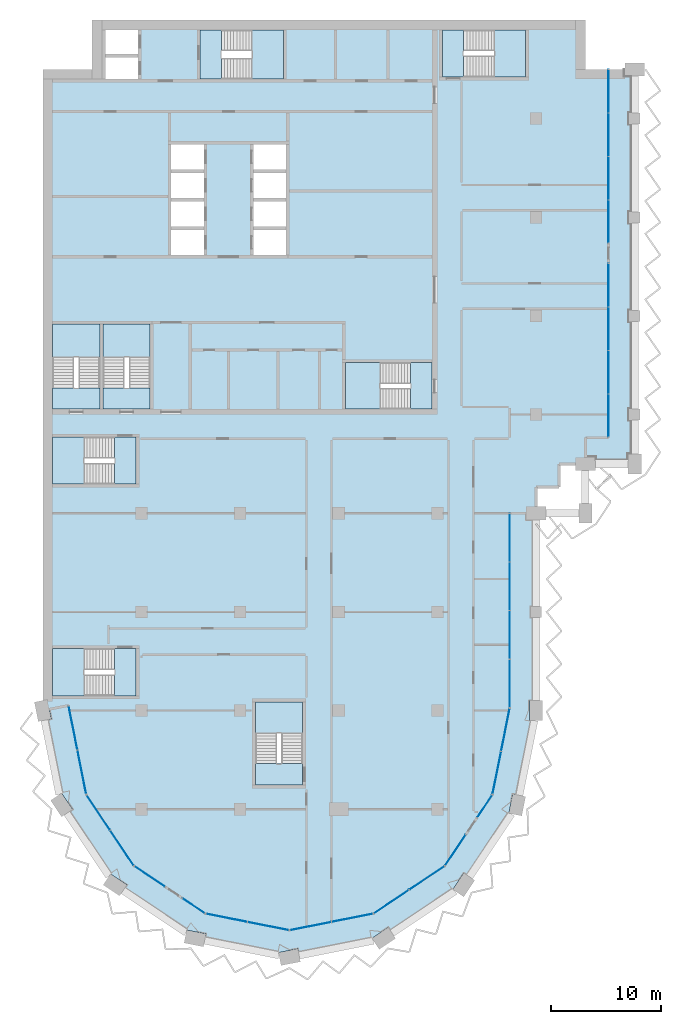
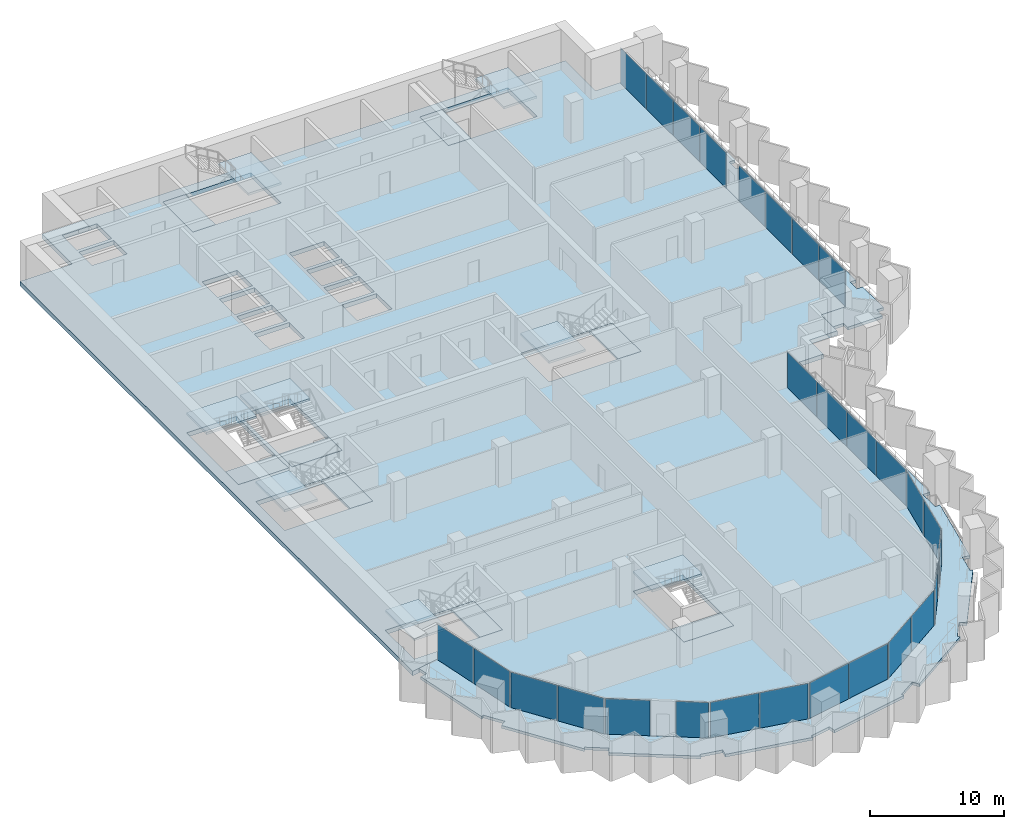
# One storey, part 6 of 17: 28 plates, 19 slabs, 21 elements without a shape of their own.
"""IFC4 building model written with IfcOpenShell, lengths in metres."""

from ifc_helpers import new_model, si_unit, direction, frame, origin, origin_2d, place, context, subcontext, project, spatial, polyline, rectangle, outline, extrude, material, layer, layer_set, type_object, element, aggregate, save


model = new_model("IFC4")

# Units and contexts
model_context = context("Model", 3, precision=1e-05, world=origin(), true_north=direction((0.0, 1.0)))
body_context = subcontext(model_context, "Body", "Model", "MODEL_VIEW")
ifc_project = project(units=[si_unit("LENGTHUNIT", "METRE"), si_unit("AREAUNIT", "SQUARE_METRE"), si_unit("VOLUMEUNIT", "CUBIC_METRE"), si_unit("PLANEANGLEUNIT", "RADIAN"), si_unit("MASSUNIT", "GRAM", prefix="KILO")], contexts=[model_context])

# Site, building, storey
site_placement = place(None, origin())
site = spatial("IfcSite", under=ifc_project, at=site_placement, CompositionType="ELEMENT")
building_placement = place(site_placement, origin())
building = spatial("IfcBuilding", under=site, at=building_placement, Name="Hunhe Ridgeline Campus", CompositionType="ELEMENT")
storey_placement = place(building_placement, frame((0.0, 0.0, 193.89990234375)))
storey = spatial("IfcBuildingStorey", under=building, at=storey_placement, Name="L49", CompositionType="ELEMENT", Elevation=193.89990234375)

# Curtain wall, plates
ifc_material_1 = material(Name="Aluminium 6063", Category="aluminium")
curtain_wall_type_1 = type_object("IfcCurtainWallType", Name="Curtain wall CW-5", PredefinedType="NOTDEFINED", material=ifc_material_1)
curtain_wall_1_placement = place(storey_placement, origin())
curtain_wall_1 = element("IfcCurtainWall", 1, at=curtain_wall_1_placement, inside=storey, type_object=curtain_wall_type_1, Name="Curtain wall 01", PredefinedType="NOTDEFINED")
ifc_material_2 = material(Name="Low-e laminated glass", Category="glass")
ifc_layer_1 = layer(ifc_material_2, 0.028076171875)
ifc_layer_set_1 = layer_set([ifc_layer_1], Name="Curtain wall glass panel 28 low-e laminated")
plate_type = type_object("IfcPlateType", Name="Curtain wall glass panel 28 low-e laminated", PredefinedType="CURTAIN_PANEL", material=ifc_layer_set_1)
plate_1_placement = place(storey_placement, frame((2.76318359375, 34.416015625, 0.0), z_axis=(0.0, 0.0, 1.0), x_axis=(0.195095347137, -0.980784280831, 0.0)))
plate_1 = element("IfcPlate", 2, at=plate_1_placement, type_object=plate_type, Name="CW-5 panel 1", PredefinedType="CURTAIN_PANEL", context=body_context, shape_type="SweptSolid", body=[
    extrude(rectangle(XDim=4.0458984375, YDim=0.028076171875, at=origin_2d()), origin(), (0.0, 0.0, 1.0), 3.22998046875),
])
plate_2_placement = place(storey_placement, frame((3.566162109375, 30.379150390625, 0.0), z_axis=(0.0, 0.0, 1.0), x_axis=(0.195095347137, -0.980784280831, 0.0)))
plate_2 = element("IfcPlate", 3, at=plate_2_placement, type_object=plate_type, Name="CW-5 panel 2", PredefinedType="CURTAIN_PANEL", context=body_context, shape_type="SweptSolid", body=[
    extrude(rectangle(XDim=4.0458984375, YDim=0.028076171875, at=origin_2d()), origin(), (0.0, 0.0, 1.0), 3.22998046875),
])
aggregate(curtain_wall_1, [plate_1, plate_2])

curtain_wall_2_placement = place(storey_placement, origin())
curtain_wall_2 = element("IfcCurtainWall", 4, at=curtain_wall_2_placement, inside=storey, type_object=curtain_wall_type_1, Name="Curtain wall 02", PredefinedType="NOTDEFINED")
plate_3_placement = place(storey_placement, frame((5.07080078125, 26.685546875, 0.0), z_axis=(0.0, 0.0, 1.0), x_axis=(0.555570274596, -0.831469584522, 0.0)))
plate_3 = element("IfcPlate", 5, at=plate_3_placement, type_object=plate_type, Name="CW-5 panel 1", PredefinedType="CURTAIN_PANEL", context=body_context, shape_type="SweptSolid", body=[
    extrude(rectangle(XDim=3.806884765625, YDim=0.028076171875, at=origin_2d()), origin(), (0.0, 0.0, 1.0), 3.22998046875),
])
plate_4_placement = place(storey_placement, frame((7.224609375, 23.4619140625, 0.0), z_axis=(0.0, 0.0, 1.0), x_axis=(0.555570274596, -0.831469584522, 0.0)))
plate_4 = element("IfcPlate", 6, at=plate_4_placement, type_object=plate_type, Name="CW-5 panel 2", PredefinedType="CURTAIN_PANEL", context=body_context, shape_type="SweptSolid", body=[
    extrude(rectangle(XDim=3.806884765625, YDim=0.028076171875, at=origin_2d()), origin(), (0.0, 0.0, 1.0), 3.22998046875),
])
aggregate(curtain_wall_2, [plate_3, plate_4])

# Curtain wall, plate
curtain_wall_3_placement = place(storey_placement, origin())
curtain_wall_3 = element("IfcCurtainWall", 7, at=curtain_wall_3_placement, inside=storey, type_object=curtain_wall_type_1, Name="Curtain wall 03", PredefinedType="NOTDEFINED")
plate_5_placement = place(storey_placement, frame((9.76025390625, 20.859375, 0.0), z_axis=(0.0, 0.0, 1.0), x_axis=(0.831469595944, -0.555570257501, 0.0)))
plate_5 = element("IfcPlate", 8, at=plate_5_placement, type_object=plate_type, Name="CW-5 panel 1", PredefinedType="CURTAIN_PANEL", context=body_context, shape_type="SweptSolid", body=[
    extrude(rectangle(XDim=3.322021484375, YDim=0.028076171875, at=origin_2d()), origin(), (0.0, 0.0, 1.0), 3.22998046875),
])
aggregate(curtain_wall_3, [plate_5])

curtain_wall_4_placement = place(storey_placement, origin())
curtain_wall_4 = element("IfcCurtainWall", 9, at=curtain_wall_4_placement, inside=storey, type_object=curtain_wall_type_1, Name="Curtain wall 04", PredefinedType="NOTDEFINED")
plate_6_placement = place(storey_placement, frame((13.761474609375, 18.18603515625, 0.0), z_axis=(0.0, 0.0, 1.0), x_axis=(0.831469510353, -0.555570385598, 0.0)))
plate_6 = element("IfcPlate", 10, at=plate_6_placement, type_object=plate_type, Name="CW-5 panel 1", PredefinedType="CURTAIN_PANEL", context=body_context, shape_type="SweptSolid", body=[
    extrude(rectangle(XDim=2.421875, YDim=0.028076171875, at=origin_2d()), origin(), (0.0, 0.0, 1.0), 3.22998046875),
])
aggregate(curtain_wall_4, [plate_6])

# Curtain wall, plates
curtain_wall_5_placement = place(storey_placement, origin())
curtain_wall_5 = element("IfcCurtainWall", 11, at=curtain_wall_5_placement, inside=storey, type_object=curtain_wall_type_1, Name="Curtain wall 05", PredefinedType="NOTDEFINED")
plate_7_placement = place(storey_placement, frame((16.761962890625, 17.08935546875, 0.0), z_axis=(0.0, 0.0, 1.0), x_axis=(0.980785275326, -0.195090347539, 0.0)))
plate_7 = element("IfcPlate", 12, at=plate_7_placement, type_object=plate_type, Name="CW-5 panel 1", PredefinedType="CURTAIN_PANEL", context=body_context, shape_type="SweptSolid", body=[
    extrude(rectangle(XDim=3.806884765625, YDim=0.028076171875, at=origin_2d()), origin(), (0.0, 0.0, 1.0), 3.22998046875),
])
plate_8_placement = place(storey_placement, frame((20.564453125, 16.3330078125, 0.0), z_axis=(0.0, 0.0, 1.0), x_axis=(0.980785275326, -0.195090347539, 0.0)))
plate_8 = element("IfcPlate", 13, at=plate_8_placement, type_object=plate_type, Name="CW-5 panel 2", PredefinedType="CURTAIN_PANEL", context=body_context, shape_type="SweptSolid", body=[
    extrude(rectangle(XDim=3.806884765625, YDim=0.028076171875, at=origin_2d()), origin(), (0.0, 0.0, 1.0), 3.22998046875),
])
aggregate(curtain_wall_5, [plate_7, plate_8])

curtain_wall_6_placement = place(storey_placement, origin())
curtain_wall_6 = element("IfcCurtainWall", 14, at=curtain_wall_6_placement, inside=storey, type_object=curtain_wall_type_1, Name="Curtain wall 06", PredefinedType="NOTDEFINED")
plate_9_placement = place(storey_placement, frame((24.435546875, 16.3330078125, 0.0), z_axis=(0.0, 0.0, 1.0), x_axis=(0.980785275326, 0.195090347539, 0.0)))
plate_9 = element("IfcPlate", 15, at=plate_9_placement, type_object=plate_type, Name="CW-5 panel 1", PredefinedType="CURTAIN_PANEL", context=body_context, shape_type="SweptSolid", body=[
    extrude(rectangle(XDim=3.806884765625, YDim=0.028076171875, at=origin_2d()), origin(), (0.0, 0.0, 1.0), 3.22998046875),
])
plate_10_placement = place(storey_placement, frame((28.238037109375, 17.08935546875, 0.0), z_axis=(0.0, 0.0, 1.0), x_axis=(0.980785275326, 0.195090347539, 0.0)))
plate_10 = element("IfcPlate", 16, at=plate_10_placement, type_object=plate_type, Name="CW-5 panel 2", PredefinedType="CURTAIN_PANEL", context=body_context, shape_type="SweptSolid", body=[
    extrude(rectangle(XDim=3.806884765625, YDim=0.028076171875, at=origin_2d()), origin(), (0.0, 0.0, 1.0), 3.22998046875),
])
aggregate(curtain_wall_6, [plate_9, plate_10])

curtain_wall_7_placement = place(storey_placement, origin())
curtain_wall_7 = element("IfcCurtainWall", 17, at=curtain_wall_7_placement, inside=storey, type_object=curtain_wall_type_1, Name="Curtain wall 07", PredefinedType="NOTDEFINED")
plate_11_placement = place(storey_placement, frame((31.814453125, 18.57080078125, 0.0), z_axis=(0.0, 0.0, 1.0), x_axis=(0.831469584522, 0.555570274596, 0.0)))
plate_11 = element("IfcPlate", 18, at=plate_11_placement, type_object=plate_type, Name="CW-5 panel 1", PredefinedType="CURTAIN_PANEL", context=body_context, shape_type="SweptSolid", body=[
    extrude(rectangle(XDim=3.806884765625, YDim=0.028076171875, at=origin_2d()), origin(), (0.0, 0.0, 1.0), 3.22998046875),
])
plate_12_placement = place(storey_placement, frame((35.0380859375, 20.724609375, 0.0), z_axis=(0.0, 0.0, 1.0), x_axis=(0.831469584522, 0.555570274596, 0.0)))
plate_12 = element("IfcPlate", 19, at=plate_12_placement, type_object=plate_type, Name="CW-5 panel 2", PredefinedType="CURTAIN_PANEL", context=body_context, shape_type="SweptSolid", body=[
    extrude(rectangle(XDim=3.806884765625, YDim=0.028076171875, at=origin_2d()), origin(), (0.0, 0.0, 1.0), 3.22998046875),
])
aggregate(curtain_wall_7, [plate_11, plate_12])

# Curtain wall, plate
curtain_wall_8_placement = place(storey_placement, origin())
curtain_wall_8 = element("IfcCurtainWall", 20, at=curtain_wall_8_placement, inside=storey, type_object=curtain_wall_type_1, Name="Curtain wall 08", PredefinedType="NOTDEFINED")
plate_13_placement = place(storey_placement, frame((37.640625, 23.26025390625, 0.0), z_axis=(0.0, 0.0, 1.0), x_axis=(0.555570257501, 0.831469595944, 0.0)))
plate_13 = element("IfcPlate", 21, at=plate_13_placement, type_object=plate_type, Name="CW-5 panel 1", PredefinedType="CURTAIN_PANEL", context=body_context, shape_type="SweptSolid", body=[
    extrude(rectangle(XDim=3.322021484375, YDim=0.028076171875, at=origin_2d()), origin(), (0.0, 0.0, 1.0), 3.22998046875),
])
aggregate(curtain_wall_8, [plate_13])

curtain_wall_9_placement = place(storey_placement, origin())
curtain_wall_9 = element("IfcCurtainWall", 22, at=curtain_wall_9_placement, inside=storey, type_object=curtain_wall_type_1, Name="Curtain wall 09", PredefinedType="NOTDEFINED")
plate_14_placement = place(storey_placement, frame((40.31396484375, 27.261474609375, 0.0), z_axis=(0.0, 0.0, 1.0), x_axis=(0.555570385598, 0.831469510353, 0.0)))
plate_14 = element("IfcPlate", 23, at=plate_14_placement, type_object=plate_type, Name="CW-5 panel 1", PredefinedType="CURTAIN_PANEL", context=body_context, shape_type="SweptSolid", body=[
    extrude(rectangle(XDim=2.421875, YDim=0.028076171875, at=origin_2d()), origin(), (0.0, 0.0, 1.0), 3.22998046875),
])
aggregate(curtain_wall_9, [plate_14])

# Curtain wall, plates
curtain_wall_10_placement = place(storey_placement, origin())
curtain_wall_10 = element("IfcCurtainWall", 24, at=curtain_wall_10_placement, inside=storey, type_object=curtain_wall_type_1, Name="Curtain wall 10", PredefinedType="NOTDEFINED")
plate_15_placement = place(storey_placement, frame((41.42236328125, 30.321044921875, 0.0), z_axis=(0.0, 0.0, 1.0), x_axis=(0.195090299215, 0.980785284939, 0.0)))
plate_15 = element("IfcPlate", 25, at=plate_15_placement, type_object=plate_type, Name="CW-5 panel 1", PredefinedType="CURTAIN_PANEL", context=body_context, shape_type="SweptSolid", body=[
    extrude(rectangle(XDim=3.927490234375, YDim=0.028076171875, at=origin_2d()), origin(), (0.0, 0.0, 1.0), 3.22998046875),
])
plate_16_placement = place(storey_placement, frame((42.2021484375, 34.24169921875, 0.0), z_axis=(0.0, 0.0, 1.0), x_axis=(0.195090299215, 0.980785284939, 0.0)))
plate_16 = element("IfcPlate", 26, at=plate_16_placement, type_object=plate_type, Name="CW-5 panel 2", PredefinedType="CURTAIN_PANEL", context=body_context, shape_type="SweptSolid", body=[
    extrude(rectangle(XDim=3.927490234375, YDim=0.028076171875, at=origin_2d()), origin(), (0.0, 0.0, 1.0), 3.22998046875),
])
aggregate(curtain_wall_10, [plate_15, plate_16])

curtain_wall_type_2 = type_object("IfcCurtainWallType", Name="Curtain wall CW-1", PredefinedType="NOTDEFINED", material=ifc_material_1)
curtain_wall_11_placement = place(storey_placement, origin())
curtain_wall_11 = element("IfcCurtainWall", 27, at=curtain_wall_11_placement, inside=storey, type_object=curtain_wall_type_2, Name="Curtain wall 11", PredefinedType="NOTDEFINED")
plate_17_placement = place(storey_placement, frame((42.59912109375, 38.471923828125, 0.0), z_axis=(0.0, 0.0, 1.0), x_axis=(6.642653e-06, 0.999999999978, 0.0)))
plate_17 = element("IfcPlate", 28, at=plate_17_placement, type_object=plate_type, Name="CW-1 panel 1", PredefinedType="CURTAIN_PANEL", context=body_context, shape_type="SweptSolid", body=[
    extrude(rectangle(XDim=4.35107421875, YDim=0.028076171875, at=origin_2d()), origin(), (0.0, 0.0, 1.0), 3.239990234375),
])
plate_18_placement = place(storey_placement, frame((42.59912109375, 42.89794921875, 0.0), z_axis=(0.0, 0.0, 1.0), x_axis=(6.642653e-06, 0.999999999978, 0.0)))
plate_18 = element("IfcPlate", 29, at=plate_18_placement, type_object=plate_type, Name="CW-1 panel 2", PredefinedType="CURTAIN_PANEL", context=body_context, shape_type="SweptSolid", body=[
    extrude(rectangle(XDim=4.381103515625, YDim=0.028076171875, at=origin_2d()), origin(), (0.0, 0.0, 1.0), 3.239990234375),
])
plate_19_placement = place(storey_placement, frame((42.59912109375, 47.3388671875, 0.0), z_axis=(0.0, 0.0, 1.0), x_axis=(6.642653e-06, 0.999999999978, 0.0)))
plate_19 = element("IfcPlate", 30, at=plate_19_placement, type_object=plate_type, Name="CW-1 panel 3", PredefinedType="CURTAIN_PANEL", context=body_context, shape_type="SweptSolid", body=[
    extrude(rectangle(XDim=4.381103515625, YDim=0.028076171875, at=origin_2d()), origin(), (0.0, 0.0, 1.0), 3.239990234375),
])
plate_20_placement = place(storey_placement, frame((42.59912109375, 51.764892578125, 0.0), z_axis=(0.0, 0.0, 1.0), x_axis=(6.642653e-06, 0.999999999978, 0.0)))
plate_20 = element("IfcPlate", 31, at=plate_20_placement, type_object=plate_type, Name="CW-1 panel 4", PredefinedType="CURTAIN_PANEL", context=body_context, shape_type="SweptSolid", body=[
    extrude(rectangle(XDim=4.35107421875, YDim=0.028076171875, at=origin_2d()), origin(), (0.0, 0.0, 1.0), 3.239990234375),
])
aggregate(curtain_wall_11, [plate_17, plate_18, plate_19, plate_20])

curtain_wall_12_placement = place(storey_placement, origin())
curtain_wall_12 = element("IfcCurtainWall", 32, at=curtain_wall_12_placement, inside=storey, type_object=curtain_wall_type_2, Name="Curtain wall 12", PredefinedType="NOTDEFINED")
plate_21_placement = place(storey_placement, frame((51.59912109375, 62.9033203125, 0.0), z_axis=(0.0, 0.0, 1.0), x_axis=(0.0, 1.0, 0.0)))
plate_21 = element("IfcPlate", 33, at=plate_21_placement, type_object=plate_type, Name="CW-1 panel 1", PredefinedType="CURTAIN_PANEL", context=body_context, shape_type="SweptSolid", body=[
    extrude(rectangle(XDim=3.884765625, YDim=0.028076171875, at=origin_2d()), origin(), (0.0, 0.0, 1.0), 3.239990234375),
])
plate_22_placement = place(storey_placement, frame((51.59912109375, 66.86328125, 0.0), z_axis=(0.0, 0.0, 1.0), x_axis=(0.0, 1.0, 0.0)))
plate_22 = element("IfcPlate", 34, at=plate_22_placement, type_object=plate_type, Name="CW-1 panel 2", PredefinedType="CURTAIN_PANEL", context=body_context, shape_type="SweptSolid", body=[
    extrude(rectangle(XDim=3.914794921875, YDim=0.028076171875, at=origin_2d()), origin(), (0.0, 0.0, 1.0), 3.239990234375),
])
plate_23_placement = place(storey_placement, frame((51.59912109375, 70.838134765625, 0.0), z_axis=(0.0, 0.0, 1.0), x_axis=(0.0, 1.0, 0.0)))
plate_23 = element("IfcPlate", 35, at=plate_23_placement, type_object=plate_type, Name="CW-1 panel 3", PredefinedType="CURTAIN_PANEL", context=body_context, shape_type="SweptSolid", body=[
    extrude(rectangle(XDim=3.914794921875, YDim=0.028076171875, at=origin_2d()), origin(), (0.0, 0.0, 1.0), 3.239990234375),
])
plate_24_placement = place(storey_placement, frame((51.59912109375, 74.798095703125, 0.0), z_axis=(0.0, 0.0, 1.0), x_axis=(0.0, 1.0, 0.0)))
plate_24 = element("IfcPlate", 36, at=plate_24_placement, type_object=plate_type, Name="CW-1 panel 4", PredefinedType="CURTAIN_PANEL", context=body_context, shape_type="SweptSolid", body=[
    extrude(rectangle(XDim=3.884765625, YDim=0.028076171875, at=origin_2d()), origin(), (0.0, 0.0, 1.0), 3.239990234375),
])
aggregate(curtain_wall_12, [plate_21, plate_22, plate_23, plate_24])

curtain_wall_13_placement = place(storey_placement, origin())
curtain_wall_13 = element("IfcCurtainWall", 37, at=curtain_wall_13_placement, inside=storey, type_object=curtain_wall_type_2, Name="Curtain wall 13", PredefinedType="NOTDEFINED")
plate_25_placement = place(storey_placement, frame((51.59912109375, 80.60302734375, 0.0), z_axis=(0.0, 0.0, 1.0), x_axis=(0.0, 1.0, 0.0)))
plate_25 = element("IfcPlate", 38, at=plate_25_placement, type_object=plate_type, Name="CW-1 panel 1", PredefinedType="CURTAIN_PANEL", context=body_context, shape_type="SweptSolid", body=[
    extrude(rectangle(XDim=3.884765625, YDim=0.028076171875, at=origin_2d()), origin(), (0.0, 0.0, 1.0), 3.239990234375),
])
plate_26_placement = place(storey_placement, frame((51.59912109375, 84.562744140625, 0.0), z_axis=(0.0, 0.0, 1.0), x_axis=(0.0, 1.0, 0.0)))
plate_26 = element("IfcPlate", 39, at=plate_26_placement, type_object=plate_type, Name="CW-1 panel 2", PredefinedType="CURTAIN_PANEL", context=body_context, shape_type="SweptSolid", body=[
    extrude(rectangle(XDim=3.914794921875, YDim=0.028076171875, at=origin_2d()), origin(), (0.0, 0.0, 1.0), 3.239990234375),
])
plate_27_placement = place(storey_placement, frame((51.59912109375, 88.53759765625, 0.0), z_axis=(0.0, 0.0, 1.0), x_axis=(0.0, 1.0, 0.0)))
plate_27 = element("IfcPlate", 40, at=plate_27_placement, type_object=plate_type, Name="CW-1 panel 3", PredefinedType="CURTAIN_PANEL", context=body_context, shape_type="SweptSolid", body=[
    extrude(rectangle(XDim=3.914794921875, YDim=0.028076171875, at=origin_2d()), origin(), (0.0, 0.0, 1.0), 3.239990234375),
])
plate_28_placement = place(storey_placement, frame((51.59912109375, 92.49755859375, 0.0), z_axis=(0.0, 0.0, 1.0), x_axis=(0.0, 1.0, 0.0)))
plate_28 = element("IfcPlate", 41, at=plate_28_placement, type_object=plate_type, Name="CW-1 panel 4", PredefinedType="CURTAIN_PANEL", context=body_context, shape_type="SweptSolid", body=[
    extrude(rectangle(XDim=3.884765625, YDim=0.028076171875, at=origin_2d()), origin(), (0.0, 0.0, 1.0), 3.239990234375),
])
aggregate(curtain_wall_13, [plate_25, plate_26, plate_27, plate_28])

# Slabs
ifc_material_3 = material(Name="Concrete C40", Category="concrete")
ifc_layer_2 = layer(ifc_material_3, 0.39990234375)
ifc_layer_set_2 = layer_set([ifc_layer_2], Name="Floor slab 400 Concrete C40")
slab_type_1 = type_object("IfcSlabType", Name="Floor slab 400 Concrete C40", PredefinedType="FLOOR", material=ifc_layer_set_2)
slab_1_placement = place(storey_placement, frame((0.0, 0.0, -0.39990234375)))
element("IfcSlab", 42, at=slab_1_placement, inside=storey, type_object=slab_type_1, Name="Floor slab L49 1", PredefinedType="FLOOR", context=body_context, shape_type="SweptSolid", body=[
    extrude(outline(polyline([(30.173583984375, 17.474365234375), (36.678955078125, 21.821044921875), (41.025634765625, 28.326416015625), (42.59912109375, 36.236572265625), (42.59912109375, 54.00048828125), (44.9990234375, 54.0009765625), (44.999267578125, 56.400634765625), (47.09912109375, 56.40087890625), (47.099609375, 58.5009765625), (49.4990234375, 58.5009765625), (49.49951171875, 60.90087890625), (51.59912109375, 60.90087890625), (51.59912109375, 94.5), (49.5, 94.5), (49.5, 99.0), (4.5, 99.0), (4.5, 94.5), (0.0, 94.5), (0.0, 36.0009765625), (2.354736328125, 36.46875), (3.974365234375, 28.326416015625), (8.321044921875, 21.821044921875), (14.826416015625, 17.474365234375), (22.5, 15.947998046875), (30.173583984375, 17.474365234375)]), holes=[polyline([(36.449951171875, 93.800048828125), (44.050048828125, 93.800048828125), (44.050048828125, 98.10009765625), (36.449951171875, 98.10009765625), (36.449951171875, 93.800048828125)]), polyline([(35.5, 63.5), (35.5, 67.75), (27.60009765625, 67.75), (27.60009765625, 63.5), (35.5, 63.5)]), polyline([(19.39990234375, 29.199951171875), (23.699951171875, 29.199951171875), (23.699951171875, 36.800048828125), (19.39990234375, 36.800048828125), (19.39990234375, 29.199951171875)]), polyline([(22.199951171875, 80.14990234375), (22.199951171875, 82.449951171875), (19.199951171875, 82.449951171875), (19.199951171875, 80.14990234375), (22.199951171875, 80.14990234375)]), polyline([(22.199951171875, 79.85009765625), (19.199951171875, 79.85009765625), (19.199951171875, 77.550048828125), (22.199951171875, 77.550048828125), (22.199951171875, 79.85009765625)]), polyline([(19.199951171875, 87.64990234375), (19.199951171875, 85.35009765625), (22.199951171875, 85.35009765625), (22.199951171875, 87.64990234375), (19.199951171875, 87.64990234375)]), polyline([(19.199951171875, 82.75), (22.199951171875, 82.75), (22.199951171875, 85.050048828125), (19.199951171875, 85.050048828125), (19.199951171875, 82.75)]), polyline([(14.35009765625, 93.60009765625), (21.949951171875, 93.60009765625), (21.949951171875, 98.10009765625), (14.35009765625, 98.10009765625), (14.35009765625, 93.60009765625)]), polyline([(14.699951171875, 79.85009765625), (11.699951171875, 79.85009765625), (11.699951171875, 77.550048828125), (14.699951171875, 77.550048828125), (14.699951171875, 79.85009765625)]), polyline([(14.699951171875, 80.14990234375), (14.699951171875, 82.449951171875), (11.699951171875, 82.449951171875), (11.699951171875, 80.14990234375), (14.699951171875, 80.14990234375)]), polyline([(11.699951171875, 87.64990234375), (11.699951171875, 85.35009765625), (14.699951171875, 85.35009765625), (14.699951171875, 87.64990234375), (11.699951171875, 87.64990234375)]), polyline([(11.699951171875, 82.75), (14.699951171875, 82.75), (14.699951171875, 85.050048828125), (11.699951171875, 85.050048828125), (11.699951171875, 82.75)]), polyline([(9.800048828125, 71.25), (5.5, 71.25), (5.5, 63.5), (9.800048828125, 63.5), (9.800048828125, 71.25)]), polyline([(8.699951171875, 95.89990234375), (8.699951171875, 98.10009765625), (5.699951171875, 98.10009765625), (5.699951171875, 95.89990234375), (8.699951171875, 95.89990234375)]), polyline([(8.699951171875, 95.60009765625), (5.699951171875, 95.60009765625), (5.699951171875, 93.60009765625), (8.699951171875, 93.60009765625), (8.699951171875, 95.60009765625)]), polyline([(0.89990234375, 37.35009765625), (8.5, 37.35009765625), (8.5, 41.64990234375), (0.89990234375, 41.64990234375), (0.89990234375, 37.35009765625)]), polyline([(0.89990234375, 60.949951171875), (0.89990234375, 56.64990234375), (8.5, 56.64990234375), (8.5, 60.949951171875), (0.89990234375, 60.949951171875)]), polyline([(0.89990234375, 71.25), (0.89990234375, 63.5), (5.199951171875, 63.5), (5.199951171875, 71.25), (0.89990234375, 71.25)])]), origin(), (0.0, 0.0, 1.0), 0.39990234375),
])
ifc_layer_3 = layer(ifc_material_3, 0.25)
ifc_layer_set_3 = layer_set([ifc_layer_3], Name="Loggia slab 250 Concrete C40")
slab_type_2 = type_object("IfcSlabType", Name="Loggia slab 250 Concrete C40", PredefinedType="FLOOR", material=ifc_layer_set_3)
slab_2_placement = place(storey_placement, frame((0.0, 0.0, -0.25)))
element("IfcSlab", 43, at=slab_2_placement, inside=storey, type_object=slab_type_2, Name="Loggia slab 1", PredefinedType="FLOOR", context=body_context, shape_type="SweptSolid", body=[
    extrude(outline(polyline([(30.173828125, 17.473388671875), (22.5, 15.947021484375), (14.826171875, 17.473388671875), (8.3203125, 21.8203125), (3.973388671875, 28.326171875), (2.35400390625, 36.46826171875), (0.58837890625, 36.116943359375), (0.76416015625, 35.234375), (0.175537109375, 35.1171875), (1.522705078125, 28.344970703125), (1.711669921875, 28.47119140625), (2.711669921875, 26.974609375), (2.212646484375, 26.641357421875), (6.048828125, 20.900146484375), (6.175048828125, 21.089111328125), (7.671875, 20.0888671875), (7.33837890625, 19.590087890625), (13.07958984375, 15.75390625), (13.1240234375, 15.976806640625), (14.889404296875, 15.62548828125), (14.772216796875, 15.037109375), (21.544677734375, 13.68994140625), (21.500244140625, 13.912841796875), (23.265625, 14.26416015625), (23.3828125, 13.675537109375), (30.155029296875, 15.022705078125), (30.02880859375, 15.211669921875), (31.525390625, 16.211669921875), (31.858642578125, 15.712646484375), (37.599853515625, 19.548828125), (37.410888671875, 19.675048828125), (38.4111328125, 21.171875), (38.909912109375, 20.83837890625), (42.74609375, 26.57958984375), (42.523193359375, 26.6240234375), (42.87451171875, 28.389404296875), (43.462890625, 28.272216796875), (44.821044921875, 35.10009765625), (44.39990234375, 35.10009765625), (44.39990234375, 36.89990234375), (45.0, 36.89990234375), (45.0, 44.5), (44.5, 44.5), (44.5, 45.5), (45.0, 45.5), (45.0, 53.39990234375), (44.10009765625, 53.39990234375), (44.10009765625, 54.0), (42.60009765625, 54.0), (42.60009765625, 36.236328125), (41.026611328125, 28.326171875), (36.6796875, 21.8203125), (30.173828125, 17.473388671875)])), origin(), (0.0, 0.0, 1.0), 0.25),
])
slab_3_placement = place(storey_placement, frame((0.0, 0.0, -0.25)))
element("IfcSlab", 44, at=slab_3_placement, inside=storey, type_object=slab_type_2, Name="Loggia slab 2", PredefinedType="FLOOR", context=body_context, shape_type="SweptSolid", body=[
    extrude(outline(polyline([(49.5, 59.10009765625), (50.39990234375, 59.10009765625), (50.39990234375, 58.5), (53.39990234375, 58.5), (53.39990234375, 59.39990234375), (54.0, 59.39990234375), (54.0, 62.5), (53.5, 62.5), (53.5, 63.5), (54.0, 63.5), (54.0, 71.5), (53.5, 71.5), (53.5, 72.5), (54.0, 72.5), (54.0, 80.5), (53.5, 80.5), (53.5, 81.5), (54.0, 81.5), (54.0, 89.5), (53.5, 89.5), (53.5, 90.5), (54.0, 90.5), (54.0, 93.89990234375), (53.10009765625, 93.89990234375), (53.10009765625, 94.5), (51.60009765625, 94.5), (51.60009765625, 60.89990234375), (49.5, 60.89990234375), (49.5, 59.10009765625)])), origin(), (0.0, 0.0, 1.0), 0.25),
])

# Stair, slab
stair_type = type_object("IfcStairType", Name="Reinforced concrete dog-leg stair 1950 Concrete C40", PredefinedType="HALF_TURN_STAIR", material=ifc_material_3)
stair_1_placement = place(storey_placement, origin())
stair_1 = element("IfcStair", 45, at=stair_1_placement, inside=storey, type_object=stair_type, Name="L49 S1", PredefinedType="HALF_TURN_STAIR")
ifc_layer_4 = layer(ifc_material_3, 0.199951171875)
ifc_layer_set_4 = layer_set([ifc_layer_4], Name="Reinforced concrete stair landing 200 Concrete C40")
slab_type_3 = type_object("IfcSlabType", Name="Reinforced concrete stair landing 200 Concrete C40", PredefinedType="LANDING", material=ifc_layer_set_4)
slab_4_placement = place(storey_placement, frame((0.0, 0.0, 1.650146484375)))
slab_4 = element("IfcSlab", 46, at=slab_4_placement, type_object=slab_type_3, Name="ST1 landing 1", PredefinedType="LANDING", context=body_context, shape_type="SweptSolid", body=[
    extrude(outline(polyline([(19.10009765625, 93.60009765625), (21.949951171875, 93.60009765625), (21.949951171875, 98.10009765625), (19.10009765625, 98.10009765625), (19.10009765625, 93.60009765625)])), origin(), (0.0, 0.0, 1.0), 0.199951171875),
])
aggregate(stair_1, [slab_4])

# Slab
slab_5_placement = place(storey_placement, frame((0.0, 0.0, -0.199951171875)))
element("IfcSlab", 47, at=slab_5_placement, inside=storey, type_object=slab_type_3, Name="L49 stair S1 floor landing", PredefinedType="LANDING", context=body_context, shape_type="SweptSolid", body=[
    extrude(outline(polyline([(14.35009765625, 93.60009765625), (16.300048828125, 93.60009765625), (16.300048828125, 98.10009765625), (14.35009765625, 98.10009765625), (14.35009765625, 93.60009765625)])), origin(), (0.0, 0.0, 1.0), 0.199951171875),
])

# Stair, slab
stair_2_placement = place(storey_placement, origin())
stair_2 = element("IfcStair", 48, at=stair_2_placement, inside=storey, type_object=stair_type, Name="L49 S2", PredefinedType="HALF_TURN_STAIR")
slab_6_placement = place(storey_placement, frame((0.0, 0.0, 1.650146484375)))
slab_6 = element("IfcSlab", 49, at=slab_6_placement, type_object=slab_type_3, Name="ST2 landing 1", PredefinedType="LANDING", context=body_context, shape_type="SweptSolid", body=[
    extrude(outline(polyline([(30.75, 67.75), (27.60009765625, 67.75), (27.60009765625, 63.5), (30.75, 63.5), (30.75, 67.75)])), origin(), (0.0, 0.0, 1.0), 0.199951171875),
])
aggregate(stair_2, [slab_6])

# Slab
slab_7_placement = place(storey_placement, frame((0.0, 0.0, -0.199951171875)))
element("IfcSlab", 50, at=slab_7_placement, inside=storey, type_object=slab_type_3, Name="L49 stair S2 floor landing", PredefinedType="LANDING", context=body_context, shape_type="SweptSolid", body=[
    extrude(outline(polyline([(35.5, 67.75), (33.550048828125, 67.75), (33.550048828125, 63.5), (35.5, 63.5), (35.5, 67.75)])), origin(), (0.0, 0.0, 1.0), 0.199951171875),
])

# Stair, slab
stair_3_placement = place(storey_placement, origin())
stair_3 = element("IfcStair", 51, at=stair_3_placement, inside=storey, type_object=stair_type, Name="L49 S3", PredefinedType="HALF_TURN_STAIR")
slab_8_placement = place(storey_placement, frame((0.0, 0.0, 1.650146484375)))
slab_8 = element("IfcSlab", 52, at=slab_8_placement, type_object=slab_type_3, Name="ST3 landing 1", PredefinedType="LANDING", context=body_context, shape_type="SweptSolid", body=[
    extrude(outline(polyline([(5.199951171875, 68.25), (5.199951171875, 71.25), (0.89990234375, 71.25), (0.89990234375, 68.25), (5.199951171875, 68.25)])), origin(), (0.0, 0.0, 1.0), 0.199951171875),
])
aggregate(stair_3, [slab_8])

# Slab
slab_9_placement = place(storey_placement, frame((0.0, 0.0, -0.199951171875)))
element("IfcSlab", 53, at=slab_9_placement, inside=storey, type_object=slab_type_3, Name="L49 stair S3 floor landing", PredefinedType="LANDING", context=body_context, shape_type="SweptSolid", body=[
    extrude(outline(polyline([(5.199951171875, 63.5), (5.199951171875, 65.449951171875), (0.89990234375, 65.449951171875), (0.89990234375, 63.5), (5.199951171875, 63.5)])), origin(), (0.0, 0.0, 1.0), 0.199951171875),
])

# Stair, slab
stair_4_placement = place(storey_placement, origin())
stair_4 = element("IfcStair", 54, at=stair_4_placement, inside=storey, type_object=stair_type, Name="L49 S4", PredefinedType="HALF_TURN_STAIR")
slab_10_placement = place(storey_placement, frame((0.0, 0.0, 1.650146484375)))
slab_10 = element("IfcSlab", 55, at=slab_10_placement, type_object=slab_type_3, Name="ST4 landing 1", PredefinedType="LANDING", context=body_context, shape_type="SweptSolid", body=[
    extrude(outline(polyline([(9.800048828125, 68.25), (9.800048828125, 71.25), (5.5, 71.25), (5.5, 68.25), (9.800048828125, 68.25)])), origin(), (0.0, 0.0, 1.0), 0.199951171875),
])
aggregate(stair_4, [slab_10])

# Slab
slab_11_placement = place(storey_placement, frame((0.0, 0.0, -0.199951171875)))
element("IfcSlab", 56, at=slab_11_placement, inside=storey, type_object=slab_type_3, Name="L49 stair S4 floor landing", PredefinedType="LANDING", context=body_context, shape_type="SweptSolid", body=[
    extrude(outline(polyline([(9.800048828125, 63.5), (9.800048828125, 65.449951171875), (5.5, 65.449951171875), (5.5, 63.5), (9.800048828125, 63.5)])), origin(), (0.0, 0.0, 1.0), 0.199951171875),
])

# Stair, slab
stair_5_placement = place(storey_placement, origin())
stair_5 = element("IfcStair", 57, at=stair_5_placement, inside=storey, type_object=stair_type, Name="L49 E1", PredefinedType="HALF_TURN_STAIR")
slab_12_placement = place(storey_placement, frame((0.0, 0.0, 1.650146484375)))
slab_12 = element("IfcSlab", 58, at=slab_12_placement, type_object=slab_type_3, Name="ST5 landing 1", PredefinedType="LANDING", context=body_context, shape_type="SweptSolid", body=[
    extrude(outline(polyline([(41.199951171875, 93.800048828125), (44.050048828125, 93.800048828125), (44.050048828125, 98.10009765625), (41.199951171875, 98.10009765625), (41.199951171875, 93.800048828125)])), origin(), (0.0, 0.0, 1.0), 0.199951171875),
])
aggregate(stair_5, [slab_12])

# Slab
slab_13_placement = place(storey_placement, frame((0.0, 0.0, -0.199951171875)))
element("IfcSlab", 59, at=slab_13_placement, inside=storey, type_object=slab_type_3, Name="L49 stair E1 floor landing", PredefinedType="LANDING", context=body_context, shape_type="SweptSolid", body=[
    extrude(outline(polyline([(36.449951171875, 93.800048828125), (38.39990234375, 93.800048828125), (38.39990234375, 98.10009765625), (36.449951171875, 98.10009765625), (36.449951171875, 93.800048828125)])), origin(), (0.0, 0.0, 1.0), 0.199951171875),
])

# Stair, slab
stair_6_placement = place(storey_placement, origin())
stair_6 = element("IfcStair", 60, at=stair_6_placement, inside=storey, type_object=stair_type, Name="L49 W3", PredefinedType="HALF_TURN_STAIR")
slab_14_placement = place(storey_placement, frame((0.0, 0.0, 1.650146484375)))
slab_14 = element("IfcSlab", 61, at=slab_14_placement, type_object=slab_type_3, Name="ST9 landing 1", PredefinedType="LANDING", context=body_context, shape_type="SweptSolid", body=[
    extrude(outline(polyline([(23.699951171875, 33.949951171875), (23.699951171875, 36.800048828125), (19.39990234375, 36.800048828125), (19.39990234375, 33.949951171875), (23.699951171875, 33.949951171875)])), origin(), (0.0, 0.0, 1.0), 0.199951171875),
])
aggregate(stair_6, [slab_14])

# Slab
slab_15_placement = place(storey_placement, frame((0.0, 0.0, -0.199951171875)))
element("IfcSlab", 62, at=slab_15_placement, inside=storey, type_object=slab_type_3, Name="L49 stair W3 floor landing", PredefinedType="LANDING", context=body_context, shape_type="SweptSolid", body=[
    extrude(outline(polyline([(23.699951171875, 29.199951171875), (23.699951171875, 31.14990234375), (19.39990234375, 31.14990234375), (19.39990234375, 29.199951171875), (23.699951171875, 29.199951171875)])), origin(), (0.0, 0.0, 1.0), 0.199951171875),
])

# Stair, slab
stair_7_placement = place(storey_placement, origin())
stair_7 = element("IfcStair", 63, at=stair_7_placement, inside=storey, type_object=stair_type, Name="L49 W1", PredefinedType="HALF_TURN_STAIR")
slab_16_placement = place(storey_placement, frame((0.0, 0.0, 1.650146484375)))
slab_16 = element("IfcSlab", 64, at=slab_16_placement, type_object=slab_type_3, Name="ST11 landing 1", PredefinedType="LANDING", context=body_context, shape_type="SweptSolid", body=[
    extrude(outline(polyline([(3.75, 41.64990234375), (0.89990234375, 41.64990234375), (0.89990234375, 37.35009765625), (3.75, 37.35009765625), (3.75, 41.64990234375)])), origin(), (0.0, 0.0, 1.0), 0.199951171875),
])
aggregate(stair_7, [slab_16])

# Slab
slab_17_placement = place(storey_placement, frame((0.0, 0.0, -0.199951171875)))
element("IfcSlab", 65, at=slab_17_placement, inside=storey, type_object=slab_type_3, Name="L49 stair W1 floor landing", PredefinedType="LANDING", context=body_context, shape_type="SweptSolid", body=[
    extrude(outline(polyline([(8.5, 41.64990234375), (6.550048828125, 41.64990234375), (6.550048828125, 37.35009765625), (8.5, 37.35009765625), (8.5, 41.64990234375)])), origin(), (0.0, 0.0, 1.0), 0.199951171875),
])

# Stair, slab
stair_8_placement = place(storey_placement, origin())
stair_8 = element("IfcStair", 66, at=stair_8_placement, inside=storey, type_object=stair_type, Name="L49 W2", PredefinedType="HALF_TURN_STAIR")
slab_18_placement = place(storey_placement, frame((0.0, 0.0, 1.650146484375)))
slab_18 = element("IfcSlab", 67, at=slab_18_placement, type_object=slab_type_3, Name="ST12 landing 1", PredefinedType="LANDING", context=body_context, shape_type="SweptSolid", body=[
    extrude(outline(polyline([(3.75, 60.949951171875), (0.89990234375, 60.949951171875), (0.89990234375, 56.64990234375), (3.75, 56.64990234375), (3.75, 60.949951171875)])), origin(), (0.0, 0.0, 1.0), 0.199951171875),
])
aggregate(stair_8, [slab_18])

# Slab
slab_19_placement = place(storey_placement, frame((0.0, 0.0, -0.199951171875)))
element("IfcSlab", 68, at=slab_19_placement, inside=storey, type_object=slab_type_3, Name="L49 stair W2 floor landing", PredefinedType="LANDING", context=body_context, shape_type="SweptSolid", body=[
    extrude(outline(polyline([(8.5, 60.949951171875), (6.550048828125, 60.949951171875), (6.550048828125, 56.64990234375), (8.5, 56.64990234375), (8.5, 60.949951171875)])), origin(), (0.0, 0.0, 1.0), 0.199951171875),
])

save(model, "model.ifc")
